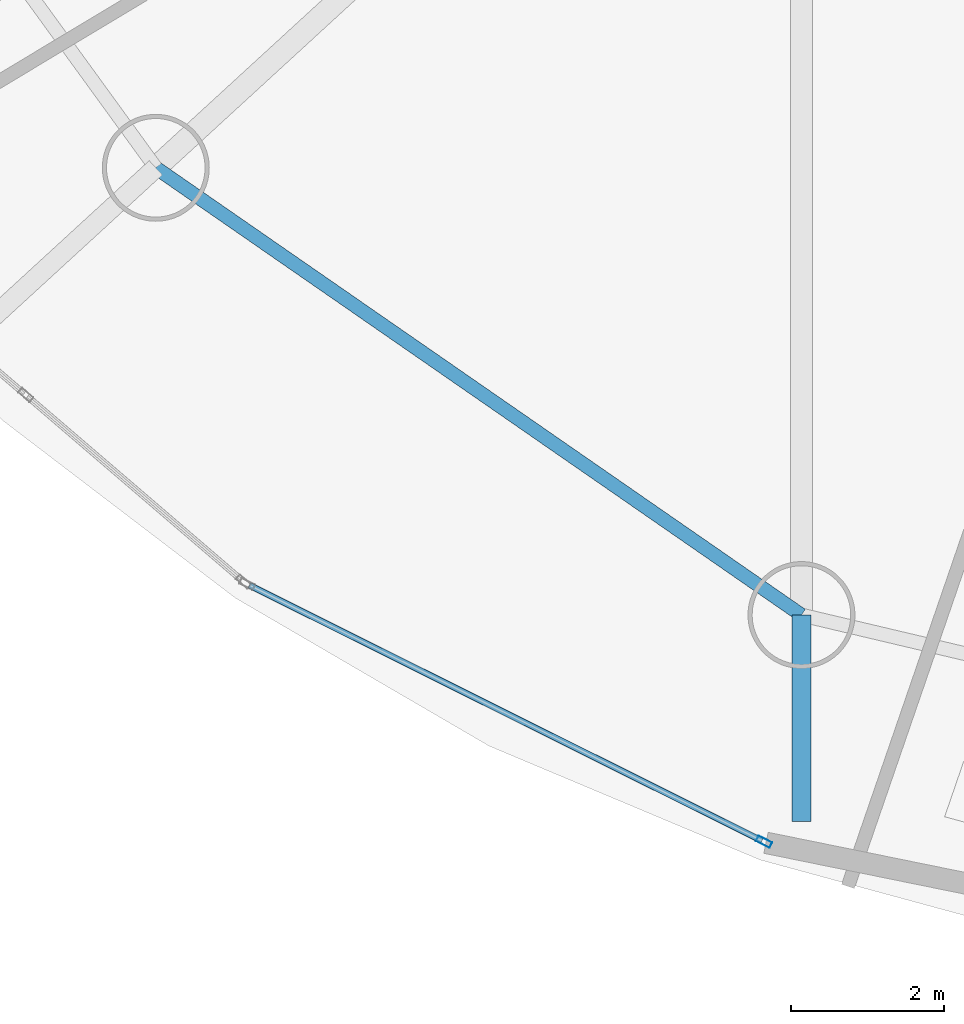
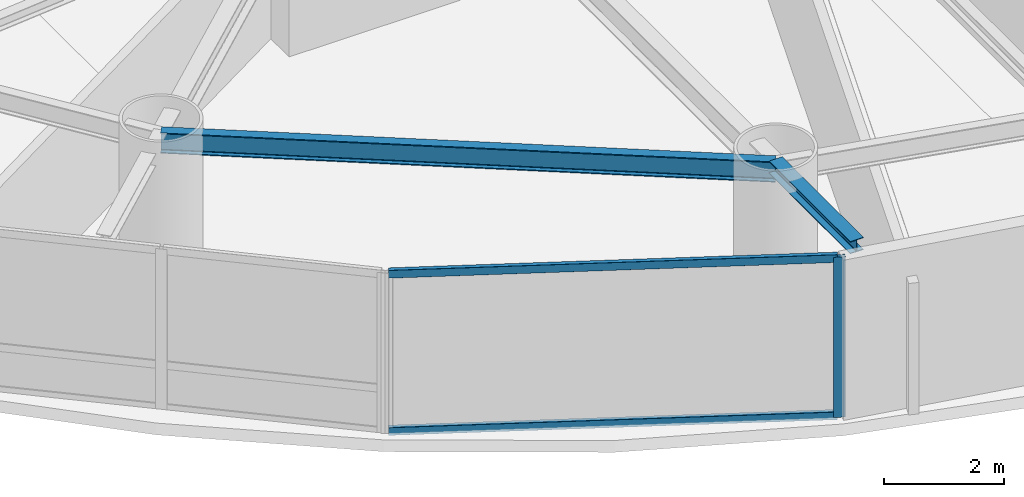
# One storey, part 3 of 19: 3 members, 2 beams, 1 element without a shape of its own.
"""IFC4 building model written with IfcOpenShell, lengths in metres."""

from ifc_helpers import new_model, si_unit, direction, frame, origin, origin_2d, place, context, subcontext, project, spatial, hollow_rectangle, i_section, extrude, material, layer, layer_set, material_profile, profile_set, type_object, element, aggregate, save


model = new_model("IFC4")

# Units and contexts
model_context = context("Model", 3, precision=1e-05, world=origin(), true_north=direction((0.0, 1.0)))
body_context = subcontext(model_context, "Body", "Model", "MODEL_VIEW")
ifc_project = project(units=[si_unit("LENGTHUNIT", "METRE"), si_unit("AREAUNIT", "SQUARE_METRE"), si_unit("VOLUMEUNIT", "CUBIC_METRE"), si_unit("PLANEANGLEUNIT", "RADIAN"), si_unit("MASSUNIT", "GRAM", prefix="KILO")], contexts=[model_context])

# Site, building, storey
site_placement = place(None, origin())
site = spatial("IfcSite", under=ifc_project, at=site_placement, CompositionType="ELEMENT")
building_placement = place(site_placement, origin())
building = spatial("IfcBuilding", under=site, at=building_placement, Name="Bramvorn Convention Spire", CompositionType="ELEMENT")
storey_placement = place(building_placement, frame((0.0, 0.0, 109.800048828125)))
storey = spatial("IfcBuildingStorey", under=building, at=storey_placement, Name="L26", CompositionType="ELEMENT", Elevation=109.800048828125)

# Beams
ifc_material_1 = material(Name="Steel CSA G40.21 Grade 350 (350W)", Category="steel")
ifc_material_profile_1 = material_profile(ifc_material_1, i_section(OverallWidth=0.25390625, OverallDepth=0.2529296875, WebThickness=0.008544921875, FlangeThickness=0.01416015625, FilletRadius=0.011962890625, at=origin_2d()))
ifc_profile_set_1 = profile_set([ifc_material_profile_1], Name="Steel CSA G40.21 Grade 350 (350W) - W250X73")
beam_type_1 = type_object("IfcBeamType", Name="BM-W250X73", PredefinedType="BEAM", material=ifc_profile_set_1)
beam_1_placement = place(storey_placement, frame((29.917236328125, 7.845947265625, 3.133544921875), z_axis=(0.0, -1.0, 0.0), x_axis=(1.0, 0.0, 0.0)))
element("IfcBeam", 1, at=beam_1_placement, inside=storey, type_object=beam_type_1, Name="L26 slab-edge cantilever tip beam MC13", PredefinedType="BEAM", context=body_context, shape_type="SweptSolid", body=[
    extrude(i_section(OverallWidth=0.25390625, OverallDepth=0.2529296875, WebThickness=0.008544921875, FlangeThickness=0.01416015625, FilletRadius=0.011962890625, at=origin_2d()), origin(), (0.0, 0.0, 1.0), 2.704833984375),
])
ifc_material_profile_2 = material_profile(ifc_material_1, i_section(OverallWidth=0.180908203125, OverallDepth=0.4169921875, WebThickness=0.010986328125, FlangeThickness=0.018310546875, FilletRadius=0.01611328125, at=origin_2d()))
ifc_profile_set_2 = profile_set([ifc_material_profile_2], Name="Steel CSA G40.21 Grade 350 (350W) - W410X85")
beam_type_2 = type_object("IfcBeamType", Name="BM-W410X85", PredefinedType="JOIST", material=ifc_profile_set_2)
beam_2_placement = place(storey_placement, frame((21.465087890625, 13.700927734375, 3.051513671875), z_axis=(0.822033166673, -0.569439613032, 0.0), x_axis=(0.569439613032, 0.822033166673, 0.0)))
element("IfcBeam", 2, at=beam_2_placement, inside=storey, type_object=beam_type_2, Name="L26 mega-column ring beam 12", PredefinedType="JOIST", context=body_context, shape_type="SweptSolid", body=[
    extrude(i_section(OverallWidth=0.180908203125, OverallDepth=0.4169921875, WebThickness=0.010986328125, FlangeThickness=0.018310546875, FilletRadius=0.01611328125, at=origin_2d()), origin(), (0.0, 0.0, 1.0), 10.281982421875),
])

# Curtain wall, members
ifc_material_2 = material(Name="Anodised Bronze Unitised Curtain Wall", Category="aluminium")
ifc_layer = layer(ifc_material_2, 0.179931640625)
ifc_layer_set = layer_set([ifc_layer], Name="Anodised Bronze Unitised Curtain Wall - CW-HTL-FRIT")
curtain_wall_type = type_object("IfcCurtainWallType", Name="CW-HTL-FRIT", PredefinedType="USERDEFINED", material=ifc_layer_set)
curtain_wall_placement = place(storey_placement, origin())
curtain_wall = element("IfcCurtainWall", 3, at=curtain_wall_placement, inside=storey, type_object=curtain_wall_type, Name="L26 fritted glass curtain wall 18", ObjectType="UNITISED CURTAIN WALL", PredefinedType="USERDEFINED")
ifc_material_3 = material(Name="Anodised Bronze Aluminium 6063-T6", Category="aluminium")
ifc_material_profile_3 = material_profile(ifc_material_3, hollow_rectangle(XDim=0.080078125, YDim=0.199951171875, WallThickness=0.00390625, InnerFilletRadius=0.0009765625, OuterFilletRadius=0.00390625, at=origin_2d()))
ifc_profile_set_3 = profile_set([ifc_material_profile_3], Name="Anodised Bronze Aluminium 6063-T6 - CWM80X200")
member_type_1 = type_object("IfcMemberType", Name="CW-MUL-180", PredefinedType="MULLION", material=ifc_profile_set_3)
member_1_placement = place(storey_placement, frame((29.426513671875, 4.8779296875, 0.0), z_axis=(0.0, 0.0, 1.0), x_axis=(-0.446168331949, -0.89494905976, 0.0)))
member_1 = element("IfcMember", 4, at=member_1_placement, type_object=member_type_1, Name="CW2 mullion 1", PredefinedType="MULLION", context=body_context, shape_type="SweptSolid", body=[
    extrude(hollow_rectangle(XDim=0.080078125, YDim=0.199951171875, WallThickness=0.00390625, InnerFilletRadius=0.0009765625, OuterFilletRadius=0.00390625, at=origin_2d()), origin(), (0.0, 0.0, 1.0), 3.260009765625),
])
ifc_material_profile_4 = material_profile(ifc_material_3, hollow_rectangle(XDim=0.080078125, YDim=0.159912109375, WallThickness=0.00390625, InnerFilletRadius=0.0009765625, OuterFilletRadius=0.00390625, at=origin_2d()))
ifc_profile_set_4 = profile_set([ifc_material_profile_4], Name="Anodised Bronze Aluminium 6063-T6 - CWT80X160")
member_type_2 = type_object("IfcMemberType", Name="CW-TRN-150", PredefinedType="USERDEFINED", material=ifc_profile_set_4)
member_2_placement = place(storey_placement, frame((29.399658203125, 4.891357421875, 0.030029296875), z_axis=(-0.894947583943, 0.446171292213, 0.0), x_axis=(-0.446171292213, -0.894947583943, 0.0)))
member_2 = element("IfcMember", 5, at=member_2_placement, type_object=member_type_2, Name="CW2 transom 1.1", ObjectType="TRANSOM", PredefinedType="USERDEFINED", context=body_context, shape_type="SweptSolid", body=[
    extrude(hollow_rectangle(XDim=0.080078125, YDim=0.159912109375, WallThickness=0.00390625, InnerFilletRadius=0.0009765625, OuterFilletRadius=0.00390625, at=origin_2d()), origin(), (0.0, 0.0, 1.0), 7.49755859375),
])
member_3_placement = place(storey_placement, frame((29.399658203125, 4.891357421875, 3.22998046875), z_axis=(-0.894947583943, 0.446171292213, 0.0), x_axis=(-0.446171292213, -0.894947583943, 0.0)))
member_3 = element("IfcMember", 6, at=member_3_placement, type_object=member_type_2, Name="CW2 transom 1.2", ObjectType="TRANSOM", PredefinedType="USERDEFINED", context=body_context, shape_type="SweptSolid", body=[
    extrude(hollow_rectangle(XDim=0.080078125, YDim=0.159912109375, WallThickness=0.00390625, InnerFilletRadius=0.0009765625, OuterFilletRadius=0.00390625, at=origin_2d()), origin(), (0.0, 0.0, 1.0), 7.49755859375),
])
aggregate(curtain_wall, [member_1, member_2, member_3])

save(model, "model.ifc")
